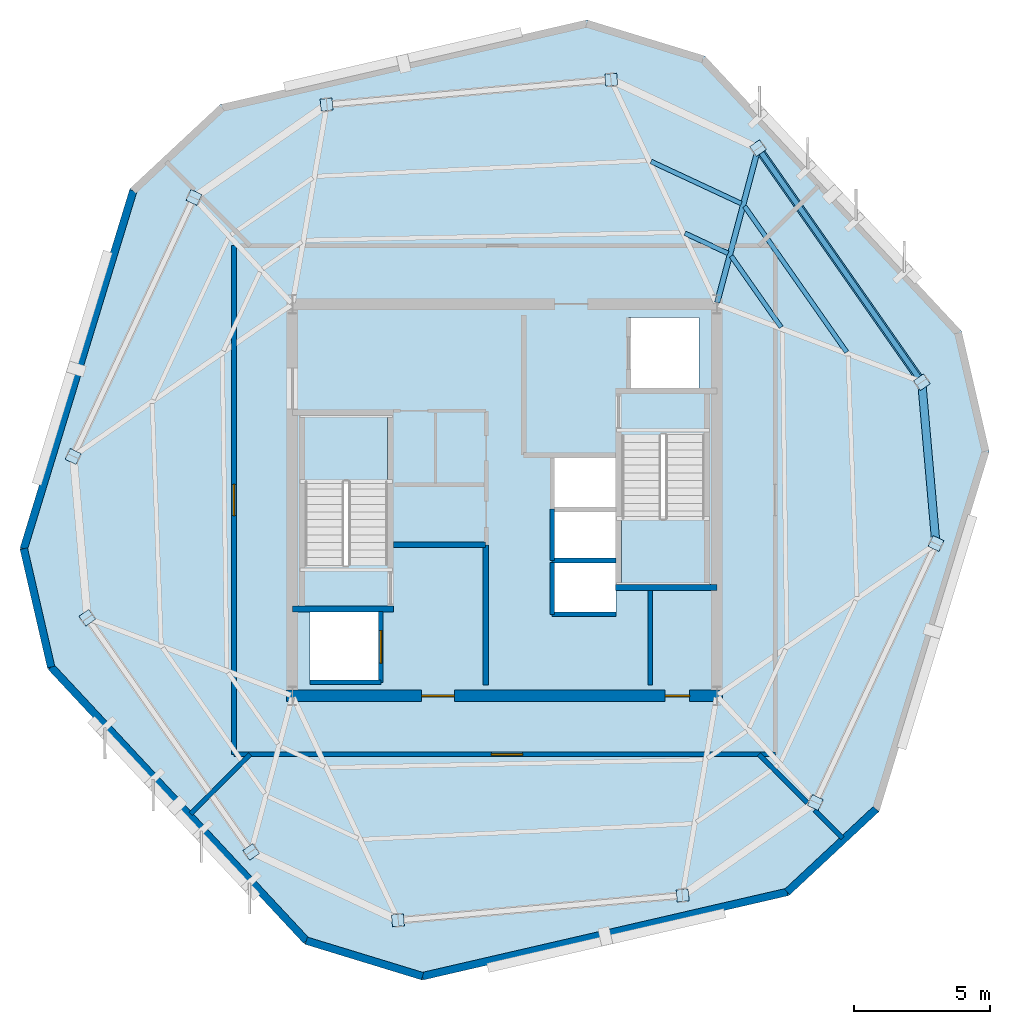
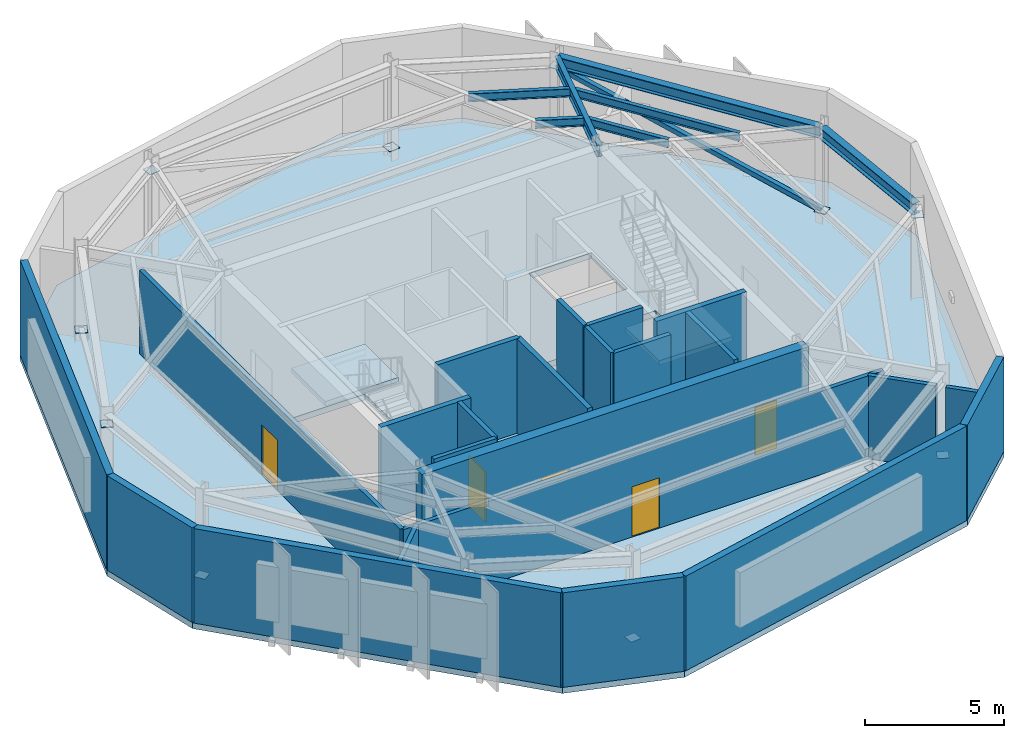
# One storey, part 2 of 7: 23 walls, 12 plates, 7 beams, 5 doors, 3 slabs, 1 member, 5 openings, 2 elements without a shape of their own.
"""IFC4 building model written with IfcOpenShell, lengths in metres."""

from ifc_helpers import new_model, si_unit, direction, frame, frame_2d, origin, origin_2d, place, context, subcontext, project, spatial, polyline, rectangle, hollow_rectangle, i_section, outline, extrude, material, layer, layer_set, material_profile, profile_set, type_object, element, fill, aggregate, save


model = new_model("IFC4")

# Units and contexts
model_context = context("Model", 3, precision=1e-05, world=origin(), true_north=direction((0.0, 1.0)))
body_context = subcontext(model_context, "Body", "Model", "MODEL_VIEW")
ifc_project = project(units=[si_unit("LENGTHUNIT", "METRE"), si_unit("AREAUNIT", "SQUARE_METRE"), si_unit("VOLUMEUNIT", "CUBIC_METRE"), si_unit("PLANEANGLEUNIT", "RADIAN"), si_unit("MASSUNIT", "GRAM", prefix="KILO")], contexts=[model_context])

# Site, building, storey
site_placement = place(None, origin())
site = spatial("IfcSite", under=ifc_project, at=site_placement, CompositionType="ELEMENT")
building_placement = place(site_placement, origin())
building = spatial("IfcBuilding", under=site, at=building_placement, Name="Kranzbogen Civic Tower", CompositionType="ELEMENT")
storey_placement = place(building_placement, frame((0.0, 0.0, 318.199951171875)))
storey = spatial("IfcBuildingStorey", under=building, at=storey_placement, Name="L77", CompositionType="ELEMENT", Elevation=318.199951171875)

# Member
ifc_material_1 = material(Name="Steel S355", Category="steel")
ifc_material_profile_1 = material_profile(ifc_material_1, hollow_rectangle(XDim=0.199951171875, YDim=0.199951171875, WallThickness=0.012451171875, at=origin_2d()), Name="SHS 200x200x12.5")
ifc_profile_set_1 = profile_set([ifc_material_profile_1], Name="Steel S355")
member_type = type_object("IfcMemberType", Name="Crown Drum Bracing Member SHS 200x200x12.5", PredefinedType="BRACE", material=ifc_profile_set_1)
member_placement = place(storey_placement, frame((40.333984375, 29.339111328125, 0.449951171875), z_axis=(-0.548540319831, 0.783482644837, 0.291990518268), x_axis=(-0.819181584375, -0.573534246424, 0.0)))
element("IfcMember", 1, at=member_placement, inside=storey, type_object=member_type, Name="DC-200: L77 crown drum lateral brace 6", PredefinedType="BRACE", context=body_context, shape_type="SweptSolid", body=[
    extrude(hollow_rectangle(XDim=0.199951171875, YDim=0.199951171875, WallThickness=0.012451171875, at=origin_2d()), origin(), (0.0, 0.0, 1.0), 10.9599609375),
])

# Beams
ifc_material_profile_2 = material_profile(ifc_material_1, i_section(OverallWidth=0.300048828125, OverallDepth=0.5, WebThickness=0.014404296875, FlangeThickness=0.028076171875, at=origin_2d()), Name="HEB 500")
ifc_profile_set_2 = profile_set([ifc_material_profile_2], Name="Steel S355")
beam_type_1 = type_object("IfcBeamType", Name="Perimeter Tube Spandrel Beam HEB 500", PredefinedType="SPANDREL", material=ifc_profile_set_2)
beam_1_placement = place(storey_placement, frame((40.85009765625, 23.449951171875, 3.89013671875), z_axis=(-0.087326362434, 0.99617975608, 0.0), x_axis=(-0.99617975608, -0.087326362434, 0.0)))
element("IfcBeam", 2, at=beam_1_placement, inside=storey, type_object=beam_type_1, Name="L77 perimeter spandrel beam 06", PredefinedType="SPANDREL", context=body_context, shape_type="SweptSolid", body=[
    extrude(i_section(OverallWidth=0.300048828125, OverallDepth=0.5, WebThickness=0.014404296875, FlangeThickness=0.028076171875, at=origin_2d()), origin(), (0.0, 0.0, 1.0), 5.8515625),
])
beam_2_placement = place(storey_placement, frame((40.300048828125, 29.387939453125, 3.89013671875), z_axis=(-0.573577759301, 0.819151117948, 0.0), x_axis=(-0.819151117948, -0.573577759301, 0.0)))
element("IfcBeam", 3, at=beam_2_placement, inside=storey, type_object=beam_type_1, Name="L77 perimeter spandrel beam 07", PredefinedType="SPANDREL", context=body_context, shape_type="SweptSolid", body=[
    extrude(i_section(OverallWidth=0.300048828125, OverallDepth=0.5, WebThickness=0.014404296875, FlangeThickness=0.028076171875, at=origin_2d()), origin(), (0.0, 0.0, 1.0), 10.36328125),
])
ifc_material_profile_3 = material_profile(ifc_material_1, i_section(OverallWidth=0.199951171875, OverallDepth=0.5, WebThickness=0.01025390625, FlangeThickness=0.01611328125, at=origin_2d()), Name="IPE 500")
ifc_profile_set_3 = profile_set([ifc_material_profile_3], Name="Steel S355")
beam_type_2 = type_object("IfcBeamType", Name="Radial Tower Floor Girder IPE 500", PredefinedType="BEAM", material=ifc_profile_set_3)
beam_3_placement = place(storey_placement, frame((34.306884765625, 37.867919921875, 3.89013671875), z_axis=(-0.257016017622, -0.966407143333, 0.0), x_axis=(0.966407143333, -0.257016017622, 0.0)))
element("IfcBeam", 4, at=beam_3_placement, inside=storey, type_object=beam_type_2, Name="L77 radial floor girder 08", PredefinedType="BEAM", context=body_context, shape_type="SweptSolid", body=[
    extrude(i_section(OverallWidth=0.199951171875, OverallDepth=0.5, WebThickness=0.01025390625, FlangeThickness=0.01611328125, at=origin_2d()), origin(), (0.0, 0.0, 1.0), 5.804931640625),
])
ifc_material_profile_4 = material_profile(ifc_material_1, i_section(OverallWidth=0.169921875, OverallDepth=0.360107421875, WebThickness=0.008056640625, FlangeThickness=0.0126953125, at=origin_2d()), Name="IPE 360")
ifc_profile_set_4 = profile_set([ifc_material_profile_4], Name="Steel S355")
beam_type_3 = type_object("IfcBeamType", Name="Secondary Composite Floor Joist IPE 360", PredefinedType="JOIST", material=ifc_profile_set_4)
beam_4_placement = place(storey_placement, frame((37.575927734375, 30.43408203125, 3.9599609375), z_axis=(-0.573499872939, 0.819205649235, 0.0), x_axis=(-0.819205649235, -0.573499872939, 0.0)))
element("IfcBeam", 5, at=beam_4_placement, inside=storey, type_object=beam_type_3, Name="L77 secondary floor joist 1.07", PredefinedType="JOIST", context=body_context, shape_type="SweptSolid", body=[
    extrude(i_section(OverallWidth=0.169921875, OverallDepth=0.360107421875, WebThickness=0.008056640625, FlangeThickness=0.0126953125, at=origin_2d()), origin(), (0.0, 0.0, 1.0), 6.549072265625),
])
beam_5_placement = place(storey_placement, frame((35.1650390625, 31.35009765625, 3.9599609375), z_axis=(-0.573498248491, 0.819206786457, 0.0), x_axis=(-0.819206786457, -0.573498248491, 0.0)))
element("IfcBeam", 6, at=beam_5_placement, inside=storey, type_object=beam_type_3, Name="L77 secondary floor joist 2.07", PredefinedType="JOIST", context=body_context, shape_type="SweptSolid", body=[
    extrude(i_section(OverallWidth=0.169921875, OverallDepth=0.360107421875, WebThickness=0.008056640625, FlangeThickness=0.0126953125, at=origin_2d()), origin(), (0.0, 0.0, 1.0), 3.194580078125),
])
beam_6_placement = place(storey_placement, frame((33.701904296875, 35.89794921875, 3.9599609375), z_axis=(-0.906303996948, 0.422626389517, 0.0), x_axis=(-0.422626389517, -0.906303996948, 0.0)))
element("IfcBeam", 7, at=beam_6_placement, inside=storey, type_object=beam_type_3, Name="L77 secondary floor joist 1.08", PredefinedType="JOIST", context=body_context, shape_type="SweptSolid", body=[
    extrude(i_section(OverallWidth=0.169921875, OverallDepth=0.360107421875, WebThickness=0.008056640625, FlangeThickness=0.0126953125, at=origin_2d()), origin(), (0.0, 0.0, 1.0), 3.6630859375),
])
beam_7_placement = place(storey_placement, frame((33.215087890625, 34.06591796875, 3.9599609375), z_axis=(-0.906432174342, 0.422351409751, 0.0), x_axis=(-0.422351409751, -0.906432174342, 0.0)))
element("IfcBeam", 8, at=beam_7_placement, inside=storey, type_object=beam_type_3, Name="L77 secondary floor joist 2.08", PredefinedType="JOIST", context=body_context, shape_type="SweptSolid", body=[
    extrude(i_section(OverallWidth=0.169921875, OverallDepth=0.360107421875, WebThickness=0.008056640625, FlangeThickness=0.0126953125, at=origin_2d()), origin(), (0.0, 0.0, 1.0), 1.751953125),
])

# Slab
ifc_material_2 = material(Name="Concrete C40/50", Category="concrete")
ifc_layer_1 = layer(ifc_material_2, 0.260009765625, Name="Concrete C40/50")
ifc_layer_set_1 = layer_set([ifc_layer_1], Name="Concrete C40/50")
slab_type_1 = type_object("IfcSlabType", Name="Composite Podium and Sky Lobby Floor Slab 260 mm", PredefinedType="FLOOR", material=ifc_layer_set_1)
slab_1_placement = place(storey_placement, frame((0.0, 0.0, -0.260009765625)))
element("IfcSlab", 9, at=slab_1_placement, inside=storey, type_object=slab_type_1, Name="L77 tower floor slab", PredefinedType="FLOOR", context=body_context, shape_type="SweptSolid", body=[
    extrude(outline(polyline([(28.0419921875, 42.64501953125), (14.531005859375, 39.52587890625), (11.239990234375, 36.45703125), (7.18603515625, 23.196044921875), (8.197998046875, 18.81201171875), (17.655029296875, 8.6708984375), (21.9580078125, 7.35498046875), (35.468994140625, 10.47412109375), (38.760009765625, 13.54296875), (42.81396484375, 26.803955078125), (41.802001953125, 31.18798828125), (32.344970703125, 41.3291015625), (28.0419921875, 42.64501953125)]), holes=[polyline([(17.85009765625, 20.89990234375), (20.449951171875, 20.89990234375), (20.449951171875, 18.300048828125), (17.85009765625, 18.300048828125), (17.85009765625, 20.89990234375)]), polyline([(29.10009765625, 22.699951171875), (29.10009765625, 20.800048828125), (26.75, 20.800048828125), (26.75, 22.699951171875), (29.10009765625, 22.699951171875)]), polyline([(29.10009765625, 24.64990234375), (29.10009765625, 22.77490234375), (26.75, 22.77490234375), (26.75, 24.64990234375), (26.75, 24.675048828125), (26.75, 26.550048828125), (29.10009765625, 26.550048828125), (29.10009765625, 24.675048828125), (29.10009765625, 24.64990234375)]), polyline([(29.300048828125, 27.340087890625), (30.75, 27.340087890625), (30.75, 27.39990234375), (32.35009765625, 27.39990234375), (32.35009765625, 21.89990234375), (29.300048828125, 21.89990234375), (29.300048828125, 27.340087890625)]), polyline([(20.699951171875, 22.659912109375), (19.25, 22.659912109375), (19.25, 22.60009765625), (17.64990234375, 22.60009765625), (17.64990234375, 28.10009765625), (20.699951171875, 28.10009765625), (20.699951171875, 22.659912109375)]), polyline([(32.14990234375, 31.699951171875), (32.14990234375, 29.10009765625), (29.550048828125, 29.10009765625), (29.550048828125, 31.699951171875), (32.14990234375, 31.699951171875)])]), origin(), (0.0, 0.0, 1.0), 0.260009765625),
])

# Plates
ifc_layer_2 = layer(ifc_material_1, 0.02490234375, Name="Steel S355")
ifc_layer_set_2 = layer_set([ifc_layer_2], Name="Steel S355")
plate_type = type_object("IfcPlateType", Name="Hollow Section Sealed End Cap Plate 440x440x25", PredefinedType="SHEET", material=ifc_layer_set_2)
for number, where, z_axis, x_axis, name in (
    (10, (28.9208984375, 40.450927734375, 0.43359375), (0.0, 0.0, 1.0), (-0.996191655175, -0.087190516449, 0.0), "DC-200: L77 crown drum lateral brace 1 end cap 1"),
    (11, (18.455078125, 39.534912109375, 3.6416015625), (0.0, 0.0, 1.0), (-0.996191655175, -0.087190516449, 0.0), "DC-200: L77 crown drum lateral brace 1 end cap 2"),
    (12, (13.580078125, 36.12109375, 0.43359375), (0.0, 0.0, 1.0), (-0.422618261741, -0.906307787037, 0.0), "DC-200: L77 crown drum lateral brace 2 end cap 1"),
    (13, (9.139892578125, 26.59912109375, 3.6416015625), (0.0, 0.0, 1.0), (-0.422618261741, -0.906307787037, 0.0), "DC-200: L77 crown drum lateral brace 2 end cap 2"),
    (14, (9.658935546875, 20.6708984375, 0.43359375), (0.0, 0.0, 1.0), (0.573533544864, -0.819182075558, 0.0), "DC-200: L77 crown drum lateral brace 3 end cap 1"),
    (15, (15.68505859375, 12.06396484375, 3.6416015625), (0.0, 0.0, 1.0), (0.573533544864, -0.819182075558, 0.0), "DC-200: L77 crown drum lateral brace 3 end cap 2"),
    (16, (21.0791015625, 9.549072265625, 0.43359375), (0.0, 0.0, 1.0), (0.996191655175, 0.087190516449, 0.0), "DC-200: L77 crown drum lateral brace 4 end cap 1"),
    (17, (31.544921875, 10.465087890625, 3.6416015625), (0.0, 0.0, 1.0), (0.996191655175, 0.087190516449, 0.0), "DC-200: L77 crown drum lateral brace 4 end cap 2"),
    (18, (36.419921875, 13.87890625, 0.43359375), (0.0, 0.0, 1.0), (0.422618261741, 0.906307787037, 0.0), "DC-200: L77 crown drum lateral brace 5 end cap 1"),
    (19, (40.860107421875, 23.40087890625, 3.6416015625), (0.0, 0.0, 1.0), (0.422618261741, 0.906307787037, 0.0), "DC-200: L77 crown drum lateral brace 5 end cap 2"),
    (20, (40.341064453125, 29.3291015625, 0.43359375), (0.0, 0.0, 1.0), (-0.573533544864, 0.819182075558, 0.0), "DC-200: L77 crown drum lateral brace 6 end cap 1"),
    (21, (34.31494140625, 37.93603515625, 3.6416015625), (0.0, 0.0, 1.0), (-0.573533544864, 0.819182075558, 0.0), "DC-200: L77 crown drum lateral brace 6 end cap 2"),
):
    element("IfcPlate", number, at=place(storey_placement, frame(where, z_axis=z_axis, x_axis=x_axis)), inside=storey, type_object=plate_type, Name=name, PredefinedType="SHEET", context=body_context, shape_type="SweptSolid", body=[
        extrude(rectangle(XDim=0.43994140625, YDim=0.43994140625, at=origin_2d()), origin(), (0.0, 0.0, 1.0), 0.02490234375),
    ])

# Stair, slab
ifc_material_3 = material(Name="Precast concrete C40/50", Category="concrete")
stair_type_1 = type_object("IfcStairType", Name="Tower Core Pressurized Dogleg Stair 1450", PredefinedType="HALF_TURN_STAIR", material=ifc_material_3)
stair_1_placement = place(storey_placement, origin())
stair_1 = element("IfcStair", 22, at=stair_1_placement, inside=storey, type_object=stair_type_1, Name="L77 Tower Core Pressurized Stair 1", PredefinedType="HALF_TURN_STAIR")
ifc_layer_3 = layer(ifc_material_3, 0.199951171875, Name="Precast concrete C40/50")
ifc_layer_set_3 = layer_set([ifc_layer_3], Name="Precast concrete C40/50")
slab_type_2 = type_object("IfcSlabType", Name="Precast Concrete Stair Landing Slab 200 mm", PredefinedType="LANDING", material=ifc_layer_set_3)
slab_2_placement = place(storey_placement, frame((0.0, 0.0, 2.0)))
slab_2 = element("IfcSlab", 23, at=slab_2_placement, type_object=slab_type_2, Name="ST-T1 landing 1", PredefinedType="LANDING", context=body_context, shape_type="SweptSolid", body=[
    extrude(outline(polyline([(20.699951171875, 25.679931640625), (20.699951171875, 28.10009765625), (17.64990234375, 28.10009765625), (17.64990234375, 25.679931640625), (20.699951171875, 25.679931640625)])), origin(), (0.0, 0.0, 1.0), 0.199951171875),
])
aggregate(stair_1, [slab_2])

stair_type_2 = type_object("IfcStairType", Name="Tower Core Secondary Dogleg Stair 1450", PredefinedType="HALF_TURN_STAIR", material=ifc_material_3)
stair_2_placement = place(storey_placement, origin())
stair_2 = element("IfcStair", 24, at=stair_2_placement, inside=storey, type_object=stair_type_2, Name="L77 Tower Core Pressurized Stair 2", PredefinedType="HALF_TURN_STAIR")
slab_3_placement = place(storey_placement, frame((0.0, 0.0, 2.0)))
slab_3 = element("IfcSlab", 25, at=slab_3_placement, type_object=slab_type_2, Name="ST-T2 landing 1", PredefinedType="LANDING", context=body_context, shape_type="SweptSolid", body=[
    extrude(outline(polyline([(29.300048828125, 24.320068359375), (29.300048828125, 21.89990234375), (32.35009765625, 21.89990234375), (32.35009765625, 24.320068359375), (29.300048828125, 24.320068359375)])), origin(), (0.0, 0.0, 1.0), 0.199951171875),
])
aggregate(stair_2, [slab_3])

# Wall, openings, doors
ifc_material_4 = material(Name="Concrete C45/55", Category="concrete")
ifc_layer_4 = layer(ifc_material_4, 0.419921875, Name="Concrete C45/55")
ifc_layer_set_4 = layer_set([ifc_layer_4], Name="Concrete C45/55")
wall_type_1 = type_object("IfcWallType", Name="Central Core Shear Wall 420 mm", PredefinedType="SHEAR", material=ifc_layer_set_4)
wall_1_placement = place(storey_placement, frame((16.989990234375, 17.800048828125, 0.0), z_axis=(0.0, 0.0, 1.0), x_axis=(1.0, 0.0, 0.0)))
wall_1 = element("IfcWall", 26, at=wall_1_placement, inside=storey, type_object=wall_type_1, Name="L77 central core South shear wall", PredefinedType="SHEAR", context=body_context, shape_type="SweptSolid", body=[
    extrude(rectangle(XDim=16.02001953125, YDim=0.419921875, at=frame_2d((8.010009765625, 0.0))), origin(), (0.0, 0.0, 1.0), 4.14013671875),
])
opening_1_placement = place(wall_1_placement, frame((4.9599609375, 0.0, 0.0)))
opening_1 = element("IfcOpeningElement", 27, at=opening_1_placement, cuts=wall_1, Name="Opening D-EX120", PredefinedType="OPENING", context=body_context, shape_type="SweptSolid", body=[
    extrude(rectangle(XDim=1.199951171875, YDim=2.25, at=frame_2d((0.60009765625, 1.125))), frame((0.0, 0.219970703125, 0.0), z_axis=(0.0, -1.0, 0.0), x_axis=(1.0, 0.0, 0.0)), (0.0, 0.0, 1.0), 0.43994140625),
])
opening_2_placement = place(wall_1_placement, frame((13.909912109375, 0.0, 0.0)))
opening_2 = element("IfcOpeningElement", 28, at=opening_2_placement, cuts=wall_1, Name="Opening D-WC90", PredefinedType="OPENING", context=body_context, shape_type="SweptSolid", body=[
    extrude(rectangle(XDim=0.89990234375, YDim=2.10009765625, at=frame_2d((0.449951171875, 1.050048828125))), frame((0.0, 0.219970703125, 0.0), z_axis=(0.0, -1.0, 0.0), x_axis=(1.0, 0.0, 0.0)), (0.0, 0.0, 1.0), 0.43994140625),
])
door_type_1 = type_object("IfcDoorType", Name="Exit Passageway Fire Door 1200x2250", OperationType="NOTDEFINED", PredefinedType="DOOR", material=ifc_material_1)
door_1_placement = place(opening_1_placement, origin())
door_1 = element("IfcDoor", 29, at=door_1_placement, inside=storey, type_object=door_type_1, Name="L77 West firefighting lobby corridor door", OperationType="SINGLE_SWING_LEFT", OverallHeight=2.25, OverallWidth=1.199951171875, PredefinedType="DOOR", context=body_context, shape_type="SweptSolid", body=[
    extrude(rectangle(XDim=1.199951171875, YDim=2.25, at=frame_2d((0.60009765625, 1.125))), frame((0.0, 0.02490234375, 0.0), z_axis=(0.0, -1.0, 0.0), x_axis=(1.0, 0.0, 0.0)), (0.0, 0.0, 1.0), 0.050048828125),
])
fill(opening_1, door_1)
ifc_material_5 = material(Name="Moisture-Resistant Laminate")
door_type_2 = type_object("IfcDoorType", Name="Standard Restroom and Store Door 900x2100", OperationType="NOTDEFINED", PredefinedType="DOOR", material=ifc_material_5)
door_2_placement = place(opening_2_placement, origin())
door_2 = element("IfcDoor", 30, at=door_2_placement, inside=storey, type_object=door_type_2, Name="L77 East electrical riser access door", OperationType="SINGLE_SWING_RIGHT", OverallHeight=2.10009765625, OverallWidth=0.89990234375, PredefinedType="DOOR", context=body_context, shape_type="SweptSolid", body=[
    extrude(rectangle(XDim=0.89990234375, YDim=2.10009765625, at=frame_2d((0.449951171875, 1.050048828125))), frame((0.0, 0.02490234375, 0.0), z_axis=(0.0, -1.0, 0.0), x_axis=(1.0, 0.0, 0.0)), (0.0, 0.0, 1.0), 0.050048828125),
])
fill(opening_2, door_2)

# Walls
ifc_layer_5 = layer(ifc_material_4, 0.219970703125, Name="Concrete C45/55")
ifc_layer_set_5 = layer_set([ifc_layer_5], Name="Concrete C45/55")
wall_type_2 = type_object("IfcWallType", Name="Core Internal Stair Structural Wall 220 mm", PredefinedType="SOLIDWALL", material=ifc_layer_set_5)
for number, where, z_axis, x_axis, name in (
    (31, (17.199951171875, 20.989990234375, 0.0), (0.0, 0.0, 1.0), (1.0, 0.0, 0.0), "L77 ST-T1 South structural stair wall"),
    (32, (29.080078125, 21.7900390625, 0.0), (0.0, 0.0, 1.0), (1.0, 0.0, 0.0), "L77 ST-T2 South structural stair wall"),
):
    element("IfcWall", number, at=place(storey_placement, frame(where, z_axis=z_axis, x_axis=x_axis)), inside=storey, type_object=wall_type_2, Name=name, PredefinedType="SOLIDWALL", context=body_context, shape_type="SweptSolid", body=[
        extrude(rectangle(XDim=3.719970703125, YDim=0.219970703125, at=frame_2d((1.85986328125, 0.0))), origin(), (0.0, 0.0, 1.0), 4.14013671875),
    ])
ifc_material_6 = material(Name="Gypsum Fireboard and Concrete Block", Category="concrete")
ifc_layer_6 = layer(ifc_material_6, 0.199951171875, Name="Gypsum Fireboard and Concrete Block")
ifc_layer_set_6 = layer_set([ifc_layer_6], Name="Gypsum Fireboard and Concrete Block")
wall_type_3 = type_object("IfcWallType", Name="Fire-Rated Exit Passageway and Stair Wall 200 mm", PredefinedType="PARTITIONING", material=ifc_layer_set_6)
wall_2_placement = place(storey_placement, frame((24.300048828125, 18.199951171875, 0.0), z_axis=(0.0, 0.0, 1.0), x_axis=(0.0, 1.0, 0.0)))
element("IfcWall", 33, at=wall_2_placement, inside=storey, type_object=wall_type_3, Name="L77 West firefighting lobby East wall", PredefinedType="PARTITIONING", context=body_context, shape_type="SweptSolid", body=[
    extrude(rectangle(XDim=5.150146484375, YDim=0.199951171875, at=frame_2d((2.5751953125, 0.0))), origin(), (0.0, 0.0, 1.0), 4.14013671875),
])
wall_3_placement = place(storey_placement, frame((20.919921875, 23.35009765625, 0.0), z_axis=(0.0, 0.0, 1.0), x_axis=(1.0, 0.0, 0.0)))
element("IfcWall", 34, at=wall_3_placement, inside=storey, type_object=wall_type_3, Name="L77 West firefighting lobby North wall", PredefinedType="PARTITIONING", context=body_context, shape_type="SweptSolid", body=[
    extrude(rectangle(XDim=3.380126953125, YDim=0.199951171875, at=frame_2d((1.68994140625, 0.0))), origin(), (0.0, 0.0, 1.0), 4.14013671875),
])
ifc_material_7 = material(Name="Gypsum Fireboard Shaftliner")
ifc_layer_7 = layer(ifc_material_7, 0.175048828125, Name="Gypsum Fireboard Shaftliner")
ifc_layer_set_7 = layer_set([ifc_layer_7], Name="Gypsum Fireboard Shaftliner")
wall_type_4 = type_object("IfcWallType", Name="Fire-Rated Lift and Service Shaft Wall 175 mm", PredefinedType="PARTITIONING", material=ifc_layer_set_7)
wall_4_placement = place(storey_placement, frame((30.35009765625, 18.199951171875, 0.0), z_axis=(0.0, 0.0, 1.0), x_axis=(0.0, 1.0, 0.0)))
element("IfcWall", 35, at=wall_4_placement, inside=storey, type_object=wall_type_4, Name="L77 East core riser West wall", PredefinedType="PARTITIONING", context=body_context, shape_type="SweptSolid", body=[
    extrude(rectangle(XDim=3.47998046875, YDim=0.175048828125, at=frame_2d((1.739990234375, 0.0))), origin(), (0.0, 0.0, 1.0), 4.14013671875),
])
wall_5_placement = place(storey_placement, frame((26.75, 20.800048828125, 0.0), z_axis=(0.0, 0.0, 1.0), x_axis=(0.0, 1.0, 0.0)))
element("IfcWall", 36, at=wall_5_placement, inside=storey, type_object=wall_type_4, Name="L77 lift HP-01 landing wall", PredefinedType="PARTITIONING", context=body_context, shape_type="SweptSolid", body=[
    extrude(rectangle(XDim=1.89990234375, YDim=0.175048828125, at=frame_2d((0.949951171875, 0.0))), origin(), (0.0, 0.0, 1.0), 4.14013671875),
])
wall_6_placement = place(storey_placement, frame((26.75, 20.800048828125, 0.0), z_axis=(0.0, 0.0, 1.0), x_axis=(1.0, 0.0, 0.0)))
element("IfcWall", 37, at=wall_6_placement, inside=storey, type_object=wall_type_4, Name="L77 lift HP-01 side wall", PredefinedType="PARTITIONING", context=body_context, shape_type="SweptSolid", body=[
    extrude(rectangle(XDim=2.35009765625, YDim=0.175048828125, at=frame_2d((1.175048828125, 0.0))), origin(), (0.0, 0.0, 1.0), 4.14013671875),
])
wall_7_placement = place(storey_placement, frame((26.75, 22.77490234375, 0.0), z_axis=(0.0, 0.0, 1.0), x_axis=(0.0, 1.0, 0.0)))
element("IfcWall", 38, at=wall_7_placement, inside=storey, type_object=wall_type_4, Name="L77 lift HP-02 landing wall", PredefinedType="PARTITIONING", context=body_context, shape_type="SweptSolid", body=[
    extrude(rectangle(XDim=1.900146484375, YDim=0.175048828125, at=frame_2d((0.9501953125, 0.0))), origin(), (0.0, 0.0, 1.0), 4.14013671875),
])
wall_8_placement = place(storey_placement, frame((26.75, 22.77490234375, 0.0), z_axis=(0.0, 0.0, 1.0), x_axis=(1.0, 0.0, 0.0)))
element("IfcWall", 39, at=wall_8_placement, inside=storey, type_object=wall_type_4, Name="L77 lift HP-02 side wall", PredefinedType="PARTITIONING", context=body_context, shape_type="SweptSolid", body=[
    extrude(rectangle(XDim=2.35009765625, YDim=0.175048828125, at=frame_2d((1.175048828125, 0.0))), origin(), (0.0, 0.0, 1.0), 4.14013671875),
])

# Wall, opening, door
wall_9_placement = place(storey_placement, frame((20.449951171875, 18.300048828125, 0.0), z_axis=(0.0, 0.0, 1.0), x_axis=(0.0, 1.0, 0.0)))
wall_9 = element("IfcWall", 40, at=wall_9_placement, inside=storey, type_object=wall_type_4, Name="L77 lift FF-01 landing wall", PredefinedType="PARTITIONING", context=body_context, shape_type="SweptSolid", body=[
    extrude(rectangle(XDim=2.599853515625, YDim=0.175048828125, at=frame_2d((1.2998046875, 0.0))), origin(), (0.0, 0.0, 1.0), 4.14013671875),
])
opening_3_placement = place(wall_9_placement, frame((0.699951171875, 0.0, 0.0)))
opening_3 = element("IfcOpeningElement", 41, at=opening_3_placement, cuts=wall_9, Name="Opening LD-FF-01", PredefinedType="OPENING", context=body_context, shape_type="SweptSolid", body=[
    extrude(rectangle(XDim=1.199951171875, YDim=2.199951171875, at=frame_2d((0.60009765625, 1.10009765625))), frame((0.0, 0.09765625, 0.0), z_axis=(0.0, -1.0, 0.0), x_axis=(1.0, 0.0, 0.0)), (0.0, 0.0, 1.0), 0.195068359375),
])
ifc_material_8 = material(Name="Pale Anodised Aluminium", Category="aluminium")
door_type_3 = type_object("IfcDoorType", Name="Firefighting and Stretcher Lift Sliding Landing Door 1200x2200", OperationType="DOUBLE_DOOR_SLIDING", PredefinedType="DOOR", material=ifc_material_8)
door_3_placement = place(opening_3_placement, origin())
door_3 = element("IfcDoor", 42, at=door_3_placement, inside=storey, type_object=door_type_3, Name="L77 lift FF-01 sliding landing door", OperationType="DOUBLE_DOOR_SLIDING", OverallHeight=2.199951171875, OverallWidth=1.199951171875, PredefinedType="DOOR", context=body_context, shape_type="SweptSolid", body=[
    extrude(rectangle(XDim=1.199951171875, YDim=2.199951171875, at=frame_2d((0.60009765625, 1.10009765625))), frame((0.0, 0.02490234375, 0.0), z_axis=(0.0, -1.0, 0.0), x_axis=(1.0, 0.0, 0.0)), (0.0, 0.0, 1.0), 0.050048828125),
])
fill(opening_3, door_3)

# Wall
wall_10_placement = place(storey_placement, frame((17.85009765625, 18.300048828125, 0.0), z_axis=(0.0, 0.0, 1.0), x_axis=(1.0, 0.0, 0.0)))
element("IfcWall", 43, at=wall_10_placement, inside=storey, type_object=wall_type_4, Name="L77 lift FF-01 side wall", PredefinedType="PARTITIONING", context=body_context, shape_type="SweptSolid", body=[
    extrude(rectangle(XDim=2.599853515625, YDim=0.175048828125, at=frame_2d((1.2998046875, 0.0))), origin(), (0.0, 0.0, 1.0), 4.14013671875),
])

# Wall, opening, door
wall_11_placement = place(storey_placement, frame((34.949951171875, 15.64990234375, 0.0), z_axis=(0.0, 0.0, 1.0), x_axis=(-1.0, 0.0, 0.0)))
wall_11 = element("IfcWall", 44, at=wall_11_placement, inside=storey, type_object=wall_type_4, Name="L77 corridor partition 03", PredefinedType="PARTITIONING", context=body_context, shape_type="SweptSolid", body=[
    extrude(rectangle(XDim=19.89990234375, YDim=0.175048828125, at=frame_2d((9.949951171875, 0.0))), origin(), (0.0, 0.0, 1.0), 3.64013671875),
])
opening_4_placement = place(wall_11_placement, frame((9.284912109375, 0.0, 0.0)))
opening_4 = element("IfcOpeningElement", 45, at=opening_4_placement, cuts=wall_11, Name="Opening D-ST90", PredefinedType="OPENING", context=body_context, shape_type="SweptSolid", body=[
    extrude(rectangle(XDim=1.14990234375, YDim=2.199951171875, at=frame_2d((0.574951171875, 1.10009765625))), frame((0.0, 0.09765625, 0.0), z_axis=(0.0, -1.0, 0.0), x_axis=(1.0, 0.0, 0.0)), (0.0, 0.0, 1.0), 0.195068359375),
])
door_type_4 = type_object("IfcDoorType", Name="Pressurized Stair and Lobby Fire Door 1150x2200", OperationType="NOTDEFINED", PredefinedType="DOOR", material=ifc_material_1)
door_4_placement = place(opening_4_placement, origin())
door_4 = element("IfcDoor", 46, at=door_4_placement, inside=storey, type_object=door_type_4, Name="L77 Crown Smoke Extract and Pressurization Plant door", OperationType="SINGLE_SWING_LEFT", OverallHeight=2.199951171875, OverallWidth=1.14990234375, PredefinedType="DOOR", context=body_context, shape_type="SweptSolid", body=[
    extrude(rectangle(XDim=1.14990234375, YDim=2.199951171875, at=frame_2d((0.574951171875, 1.10009765625))), frame((0.0, 0.02490234375, 0.0), z_axis=(0.0, -1.0, 0.0), x_axis=(1.0, 0.0, 0.0)), (0.0, 0.0, 1.0), 0.050048828125),
])
fill(opening_4, door_4)

wall_12_placement = place(storey_placement, frame((15.050048828125, 15.64990234375, 0.0), z_axis=(0.0, 0.0, 1.0), x_axis=(0.0, 1.0, 0.0)))
wall_12 = element("IfcWall", 47, at=wall_12_placement, inside=storey, type_object=wall_type_4, Name="L77 corridor partition 04", PredefinedType="PARTITIONING", context=body_context, shape_type="SweptSolid", body=[
    extrude(rectangle(XDim=18.7001953125, YDim=0.175048828125, at=frame_2d((9.35009765625, 0.0))), origin(), (0.0, 0.0, 1.0), 3.64013671875),
])
opening_5_placement = place(wall_12_placement, frame((8.77490234375, 0.0, 0.0)))
opening_5 = element("IfcOpeningElement", 48, at=opening_5_placement, cuts=wall_12, Name="Opening D-ST90", PredefinedType="OPENING", context=body_context, shape_type="SweptSolid", body=[
    extrude(rectangle(XDim=1.14990234375, YDim=2.199951171875, at=frame_2d((0.574951171875, 1.10009765625))), frame((0.0, 0.09765625, 0.0), z_axis=(0.0, -1.0, 0.0), x_axis=(1.0, 0.0, 0.0)), (0.0, 0.0, 1.0), 0.195068359375),
])
door_5_placement = place(opening_5_placement, origin())
door_5 = element("IfcDoor", 49, at=door_5_placement, inside=storey, type_object=door_type_4, Name="L77 Crown Standby UPS and Control Room door", OperationType="SINGLE_SWING_RIGHT", OverallHeight=2.199951171875, OverallWidth=1.14990234375, PredefinedType="DOOR", context=body_context, shape_type="SweptSolid", body=[
    extrude(rectangle(XDim=1.14990234375, YDim=2.199951171875, at=frame_2d((0.574951171875, 1.10009765625))), frame((0.0, 0.02490234375, 0.0), z_axis=(0.0, -1.0, 0.0), x_axis=(1.0, 0.0, 0.0)), (0.0, 0.0, 1.0), 0.050048828125),
])
fill(opening_5, door_5)

# Walls
wall_13_placement = place(storey_placement, frame((15.64990234375, 15.64990234375, 0.0), z_axis=(0.0, 0.0, 1.0), x_axis=(-0.707106781187, -0.707106781187, 0.0)))
element("IfcWall", 50, at=wall_13_placement, inside=storey, type_object=wall_type_4, Name="L77 radial room partition 03", PredefinedType="PARTITIONING", context=body_context, shape_type="SweptSolid", body=[
    extrude(rectangle(XDim=3.095703125, YDim=0.175048828125, at=frame_2d((1.5478515625, 0.0))), origin(), (0.0, 0.0, 1.0), 3.64013671875),
])
wall_14_placement = place(storey_placement, frame((34.35009765625, 15.64990234375, 0.0), z_axis=(0.0, 0.0, 1.0), x_axis=(0.707106781187, -0.707106781187, 0.0)))
element("IfcWall", 51, at=wall_14_placement, inside=storey, type_object=wall_type_4, Name="L77 radial room partition 04 part 1", PredefinedType="PARTITIONING", context=body_context, shape_type="SweptSolid", body=[
    extrude(rectangle(XDim=2.524169921875, YDim=0.175048828125, at=frame_2d((1.26220703125, 0.0))), origin(), (0.0, 0.0, 1.0), 3.64013671875),
])
wall_15_placement = place(storey_placement, frame((36.39990234375, 13.60009765625, 0.0), z_axis=(0.0, 0.0, 1.0), x_axis=(0.707106781187, -0.707106781187, 0.0)))
element("IfcWall", 52, at=wall_15_placement, inside=storey, type_object=wall_type_4, Name="L77 radial room partition 04 part 2", PredefinedType="PARTITIONING", context=body_context, shape_type="SweptSolid", body=[
    extrude(rectangle(XDim=1.45263671875, YDim=0.175048828125, at=frame_2d((0.726318359375, 0.0))), origin(), (0.0, 0.0, 1.0), 3.64013671875),
])
ifc_layer_8 = layer(ifc_material_8, 0.280029296875, Name="Pale Anodised Aluminium")
ifc_layer_set_8 = layer_set([ifc_layer_8], Name="Pale Anodised Aluminium")
wall_type_5 = type_object("IfcWallType", Name="Plant Acoustic Insulated Spandrel Wall 280 mm", PredefinedType="STANDARD", material=ifc_layer_set_8)
wall_16_placement = place(storey_placement, frame((11.347900390625, 36.366943359375, 0.0), z_axis=(0.0, 0.0, 1.0), x_axis=(-0.292402016217, -0.956295488284, 0.0)))
element("IfcWall", 53, at=wall_16_placement, inside=storey, type_object=wall_type_5, Name="L77 mechanical plant spandrel wall M2", PredefinedType="STANDARD", context=body_context, shape_type="SweptSolid", body=[
    extrude(rectangle(XDim=13.75830078125, YDim=0.280029296875, at=frame_2d((6.879150390625, 0.0))), origin(), (0.0, 0.0, 1.0), 4.14013671875),
])
wall_17_placement = place(storey_placement, frame((7.324951171875, 23.2099609375, 0.0), z_axis=(0.0, 0.0, 1.0), x_axis=(0.22493139919, -0.974374602326, 0.0)))
element("IfcWall", 54, at=wall_17_placement, inside=storey, type_object=wall_type_5, Name="L77 mechanical plant spandrel wall C2", PredefinedType="STANDARD", context=body_context, shape_type="SweptSolid", body=[
    extrude(rectangle(XDim=4.46435546875, YDim=0.280029296875, at=frame_2d((2.232177734375, 0.0))), origin(), (0.0, 0.0, 1.0), 4.14013671875),
])
wall_18_placement = place(storey_placement, frame((8.3291015625, 18.860107421875, 0.0), z_axis=(0.0, 0.0, 1.0), x_axis=(0.682027341853, -0.731326674588, 0.0)))
element("IfcWall", 55, at=wall_18_placement, inside=storey, type_object=wall_type_5, Name="L77 mechanical plant spandrel wall M3", PredefinedType="STANDARD", context=body_context, shape_type="SweptSolid", body=[
    extrude(rectangle(XDim=13.75732421875, YDim=0.280029296875, at=frame_2d((6.878662109375, 0.0))), origin(), (0.0, 0.0, 1.0), 4.14013671875),
])
wall_19_placement = place(storey_placement, frame((17.7119140625, 8.799072265625, 0.0), z_axis=(0.0, 0.0, 1.0), x_axis=(0.956262395438, -0.292510223876, 0.0)))
element("IfcWall", 56, at=wall_19_placement, inside=storey, type_object=wall_type_5, Name="L77 mechanical plant spandrel wall C3", PredefinedType="STANDARD", context=body_context, shape_type="SweptSolid", body=[
    extrude(rectangle(XDim=4.46533203125, YDim=0.280029296875, at=frame_2d((2.232666015625, 0.0))), origin(), (0.0, 0.0, 1.0), 4.14013671875),
])
wall_20_placement = place(storey_placement, frame((21.98193359375, 7.492919921875, 0.0), z_axis=(0.0, 0.0, 1.0), x_axis=(0.974367263291, 0.224963188605, 0.0)))
element("IfcWall", 57, at=wall_20_placement, inside=storey, type_object=wall_type_5, Name="L77 mechanical plant spandrel wall M4", PredefinedType="STANDARD", context=body_context, shape_type="SweptSolid", body=[
    extrude(rectangle(XDim=13.757568359375, YDim=0.280029296875, at=frame_2d((6.87890625, 0.0))), origin(), (0.0, 0.0, 1.0), 4.14013671875),
])
wall_21_placement = place(storey_placement, frame((35.386962890625, 10.587890625, 0.0), z_axis=(0.0, 0.0, 1.0), x_axis=(0.731311609652, 0.682043495378, 0.0)))
element("IfcWall", 58, at=wall_21_placement, inside=storey, type_object=wall_type_5, Name="L77 mechanical plant spandrel wall C4", PredefinedType="STANDARD", context=body_context, shape_type="SweptSolid", body=[
    extrude(rectangle(XDim=4.46484375, YDim=0.280029296875, at=frame_2d((2.232421875, 0.0))), origin(), (0.0, 0.0, 1.0), 4.14013671875),
])

save(model, "model.ifc")
